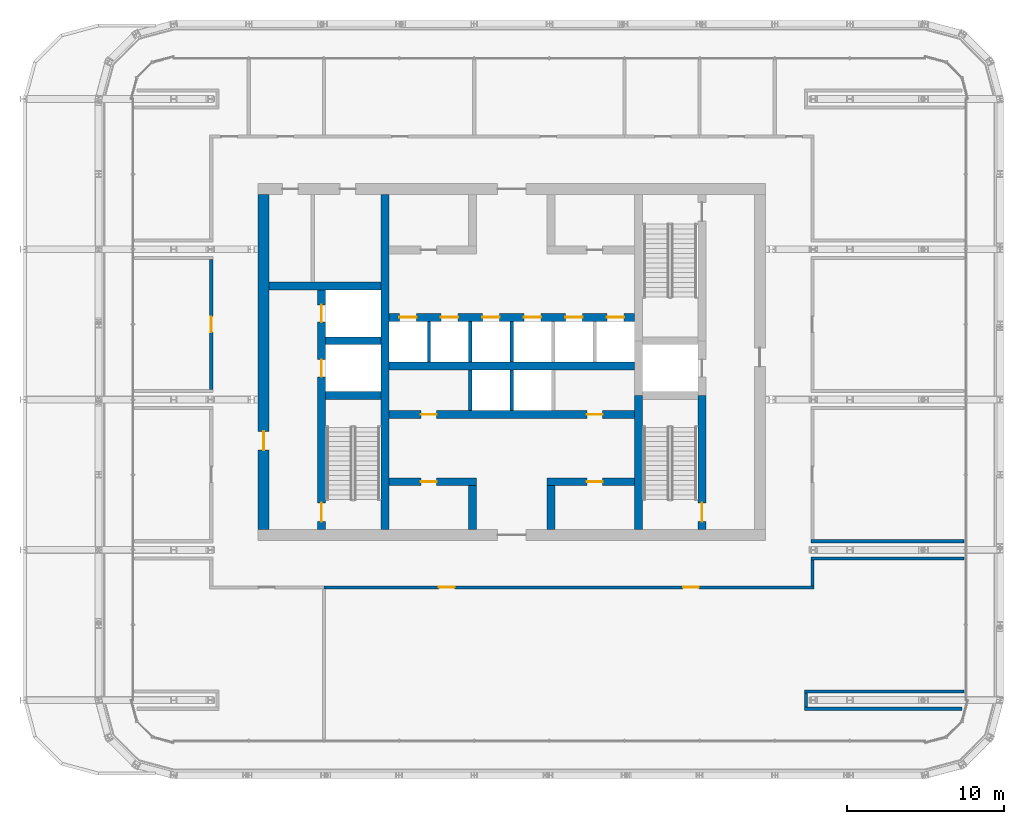
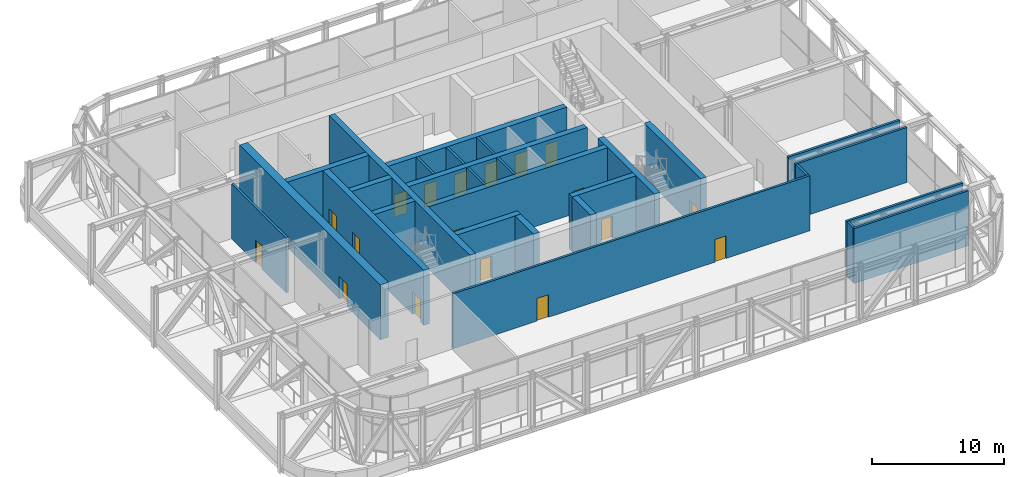
# One storey, part 20 of 30: 28 walls, 18 doors, 18 openings.
"""IFC4 building model written with IfcOpenShell, lengths in metres."""

from ifc_helpers import new_model, si_unit, direction, frame, frame_2d, origin, place, context, subcontext, project, spatial, rectangle, extrude, material, layer, layer_set, type_object, element, fill, save


model = new_model("IFC4")

# Units and contexts
model_context = context("Model", 3, precision=1e-05, world=origin(), true_north=direction((0.0, 1.0)))
body_context = subcontext(model_context, "Body", "Model", "MODEL_VIEW")
ifc_project = project(units=[si_unit("LENGTHUNIT", "METRE"), si_unit("AREAUNIT", "SQUARE_METRE"), si_unit("VOLUMEUNIT", "CUBIC_METRE"), si_unit("PLANEANGLEUNIT", "RADIAN"), si_unit("MASSUNIT", "GRAM", prefix="KILO")], contexts=[model_context])

# Site, building, storey
site_placement = place(None, origin())
site = spatial("IfcSite", under=ifc_project, at=site_placement, CompositionType="ELEMENT")
building_placement = place(site_placement, origin())
building = spatial("IfcBuilding", under=site, at=building_placement, Name="Madar Terraces", CompositionType="ELEMENT")
storey_placement = place(building_placement, frame((0.0, 0.0, 173.5)))
storey = spatial("IfcBuildingStorey", under=building, at=storey_placement, Name="L45", CompositionType="ELEMENT", Elevation=173.5)

# Wall, openings, doors
ifc_material_1 = material(Name="Concrete C60/75", Category="concrete")
ifc_layer_1 = layer(ifc_material_1, 0.5)
ifc_layer_set_1 = layer_set([ifc_layer_1], Name="Concrete C60/75 (CIW4 RC wall 500)")
wall_type_1 = type_object("IfcWallType", Name="CIW4 RC wall 500", PredefinedType="SHEAR", material=ifc_layer_set_1)
wall_1_placement = place(storey_placement, frame((19.050048828125, 15.699951171875, 0.0), z_axis=(0.0, 0.0, 1.0), x_axis=(0.0, 1.0, 0.0)))
wall_1 = element("IfcWall", 1, at=wall_1_placement, inside=storey, type_object=wall_type_1, Name="CORE SHAFT WALL", PredefinedType="SHEAR", context=body_context, shape_type="SweptSolid", body=[
    extrude(rectangle(XDim=15.300048828125, YDim=0.5, at=frame_2d((7.64990234375, 0.0))), origin(), (0.0, 0.0, 1.0), 5.10009765625),
])
opening_1_placement = place(wall_1_placement, frame((9.75, 0.0, 0.0)))
opening_1 = element("IfcOpeningElement", 2, at=opening_1_placement, cuts=wall_1, Name="Opening LD", PredefinedType="OPENING", context=body_context, shape_type="SweptSolid", body=[
    extrude(rectangle(XDim=1.10009765625, YDim=2.10009765625, at=frame_2d((0.550048828125, 1.050048828125))), frame((0.0, 0.260009765625, 0.0), z_axis=(0.0, -1.0, 0.0), x_axis=(1.0, 0.0, 0.0)), (0.0, 0.0, 1.0), 0.52001953125),
])
opening_2_placement = place(wall_1_placement, frame((13.25, 0.0, 0.0)))
opening_2 = element("IfcOpeningElement", 3, at=opening_2_placement, cuts=wall_1, Name="Opening LD", PredefinedType="OPENING", context=body_context, shape_type="SweptSolid", body=[
    extrude(rectangle(XDim=1.10009765625, YDim=2.10009765625, at=frame_2d((0.550048828125, 1.050048828125))), frame((0.0, 0.260009765625, 0.0), z_axis=(0.0, -1.0, 0.0), x_axis=(1.0, 0.0, 0.0)), (0.0, 0.0, 1.0), 0.52001953125),
])
opening_3_placement = place(wall_1_placement, frame((0.5, 0.0, 0.0)))
opening_3 = element("IfcOpeningElement", 4, at=opening_3_placement, cuts=wall_1, Name="Opening SD1", PredefinedType="OPENING", context=body_context, shape_type="SweptSolid", body=[
    extrude(rectangle(XDim=1.199951171875, YDim=2.10009765625, at=frame_2d((0.60009765625, 1.050048828125))), frame((0.0, 0.260009765625, 0.0), z_axis=(0.0, -1.0, 0.0), x_axis=(1.0, 0.0, 0.0)), (0.0, 0.0, 1.0), 0.52001953125),
])
ifc_material_2 = material(Name="Stainless steel panel", Category="steel")
door_type_1 = type_object("IfcDoorType", Name="Lift landing door 1100 x 2100", OperationType="DOUBLE_DOOR_SLIDING", PredefinedType="DOOR", material=ifc_material_2)
door_1_placement = place(opening_1_placement, origin())
door_1 = element("IfcDoor", 5, at=door_1_placement, inside=storey, type_object=door_type_1, Name="LIFT LANDING DOOR", OperationType="DOUBLE_DOOR_SLIDING", OverallHeight=2.10009765625, OverallWidth=1.10009765625, PredefinedType="DOOR", context=body_context, shape_type="SweptSolid", body=[
    extrude(rectangle(XDim=1.10009765625, YDim=2.10009765625, at=frame_2d((0.550048828125, 1.050048828125))), frame((0.0, 0.02490234375, 0.0), z_axis=(0.0, -1.0, 0.0), x_axis=(1.0, 0.0, 0.0)), (0.0, 0.0, 1.0), 0.050048828125),
])
fill(opening_1, door_1)
door_2_placement = place(opening_2_placement, origin())
door_2 = element("IfcDoor", 6, at=door_2_placement, inside=storey, type_object=door_type_1, Name="LIFT LANDING DOOR", OperationType="DOUBLE_DOOR_SLIDING", OverallHeight=2.10009765625, OverallWidth=1.10009765625, PredefinedType="DOOR", context=body_context, shape_type="SweptSolid", body=[
    extrude(rectangle(XDim=1.10009765625, YDim=2.10009765625, at=frame_2d((0.550048828125, 1.050048828125))), frame((0.0, 0.02490234375, 0.0), z_axis=(0.0, -1.0, 0.0), x_axis=(1.0, 0.0, 0.0)), (0.0, 0.0, 1.0), 0.050048828125),
])
fill(opening_2, door_2)
ifc_material_3 = material(Name="Steel door leaf", Category="steel")
door_type_2 = type_object("IfcDoorType", Name="Stair door 1200 x 2100", OperationType="NOTDEFINED", PredefinedType="DOOR", material=ifc_material_3)
door_3_placement = place(opening_3_placement, frame((1.199951171875, 0.0, 0.0), z_axis=(0.0, 0.0, 1.0), x_axis=(-1.0, 0.0, 0.0)))
door_3 = element("IfcDoor", 7, at=door_3_placement, inside=storey, type_object=door_type_2, Name="STAIR DOOR", OperationType="SINGLE_SWING_LEFT", OverallHeight=2.10009765625, OverallWidth=1.199951171875, PredefinedType="DOOR", context=body_context, shape_type="SweptSolid", body=[
    extrude(rectangle(XDim=1.199951171875, YDim=2.10009765625, at=frame_2d((0.60009765625, 1.050048828125))), frame((0.0, 0.02490234375, 0.0), z_axis=(0.0, -1.0, 0.0), x_axis=(1.0, 0.0, 0.0)), (0.0, 0.0, 1.0), 0.050048828125),
])
fill(opening_3, door_3)

# Walls
wall_2_placement = place(storey_placement, frame((23.10009765625, 15.699951171875, 0.0), z_axis=(0.0, 0.0, 1.0), x_axis=(0.0, 1.0, 0.0)))
element("IfcWall", 8, at=wall_2_placement, inside=storey, type_object=wall_type_1, Name="CORE SHAFT WALL", PredefinedType="SHEAR", context=body_context, shape_type="SweptSolid", body=[
    extrude(rectangle(XDim=21.400146484375, YDim=0.5, at=frame_2d((10.7001953125, 0.0))), origin(), (0.0, 0.0, 1.0), 5.10009765625),
])
wall_3_placement = place(storey_placement, frame((39.300048828125, 15.699951171875, 0.0), z_axis=(0.0, 0.0, 1.0), x_axis=(0.0, 1.0, 0.0)))
element("IfcWall", 9, at=wall_3_placement, inside=storey, type_object=wall_type_1, Name="CORE SHAFT WALL", PredefinedType="SHEAR", context=body_context, shape_type="SweptSolid", body=[
    extrude(rectangle(XDim=8.550048828125, YDim=0.5, at=frame_2d((4.27490234375, 0.0))), origin(), (0.0, 0.0, 1.0), 5.10009765625),
])

# Wall, opening, door
wall_4_placement = place(storey_placement, frame((43.35009765625, 15.699951171875, 0.0), z_axis=(0.0, 0.0, 1.0), x_axis=(0.0, 1.0, 0.0)))
wall_4 = element("IfcWall", 10, at=wall_4_placement, inside=storey, type_object=wall_type_1, Name="CORE SHAFT WALL", PredefinedType="SHEAR", context=body_context, shape_type="SweptSolid", body=[
    extrude(rectangle(XDim=8.550048828125, YDim=0.5, at=frame_2d((4.27490234375, 0.0))), origin(), (0.0, 0.0, 1.0), 5.10009765625),
])
opening_4_placement = place(wall_4_placement, frame((0.5, 0.0, 0.0)))
opening_4 = element("IfcOpeningElement", 11, at=opening_4_placement, cuts=wall_4, Name="Opening SD1", PredefinedType="OPENING", context=body_context, shape_type="SweptSolid", body=[
    extrude(rectangle(XDim=1.199951171875, YDim=2.10009765625, at=frame_2d((0.60009765625, 1.050048828125))), frame((0.0, 0.260009765625, 0.0), z_axis=(0.0, -1.0, 0.0), x_axis=(1.0, 0.0, 0.0)), (0.0, 0.0, 1.0), 0.52001953125),
])
door_4_placement = place(opening_4_placement, origin())
door_4 = element("IfcDoor", 12, at=door_4_placement, inside=storey, type_object=door_type_2, Name="STAIR DOOR", OperationType="SINGLE_SWING_RIGHT", OverallHeight=2.10009765625, OverallWidth=1.199951171875, PredefinedType="DOOR", context=body_context, shape_type="SweptSolid", body=[
    extrude(rectangle(XDim=1.199951171875, YDim=2.10009765625, at=frame_2d((0.60009765625, 1.050048828125))), frame((0.0, 0.02490234375, 0.0), z_axis=(0.0, -1.0, 0.0), x_axis=(1.0, 0.0, 0.0)), (0.0, 0.0, 1.0), 0.050048828125),
])
fill(opening_4, door_4)

# Walls
for number, where, z_axis, x_axis, name in (
    (13, (19.300048828125, 24.25, 0.0), (0.0, 0.0, 1.0), (1.0, 0.0, 0.0), "CORE SHAFT WALL"),
    (14, (19.300048828125, 27.75, 0.0), (0.0, 0.0, 1.0), (1.0, 0.0, 0.0), "CORE SHAFT WALL"),
):
    element("IfcWall", number, at=place(storey_placement, frame(where, z_axis=z_axis, x_axis=x_axis)), inside=storey, type_object=wall_type_1, Name=name, PredefinedType="SHEAR", context=body_context, shape_type="SweptSolid", body=[
        extrude(rectangle(XDim=3.550048828125, YDim=0.5, at=frame_2d((1.77490234375, 0.0))), origin(), (0.0, 0.0, 1.0), 5.10009765625),
    ])
wall_5_placement = place(storey_placement, frame((15.699951171875, 31.25, 0.0), z_axis=(0.0, 0.0, 1.0), x_axis=(1.0, 0.0, 0.0)))
element("IfcWall", 15, at=wall_5_placement, inside=storey, type_object=wall_type_1, Name="CORE SHAFT WALL", PredefinedType="SHEAR", context=body_context, shape_type="SweptSolid", body=[
    extrude(rectangle(XDim=7.150146484375, YDim=0.5, at=frame_2d((3.5751953125, 0.0))), origin(), (0.0, 0.0, 1.0), 5.10009765625),
])

# Wall, opening, door
wall_6_placement = place(storey_placement, frame((23.35009765625, 18.75, 0.0), z_axis=(0.0, 0.0, 1.0), x_axis=(1.0, 0.0, 0.0)))
wall_6 = element("IfcWall", 16, at=wall_6_placement, inside=storey, type_object=wall_type_1, Name="CORE SHAFT WALL", PredefinedType="SHEAR", context=body_context, shape_type="SweptSolid", body=[
    extrude(rectangle(XDim=5.599853515625, YDim=0.5, at=frame_2d((2.7998046875, 0.0))), origin(), (0.0, 0.0, 1.0), 5.10009765625),
])
opening_5_placement = place(wall_6_placement, frame((2.050048828125, 0.0, 0.0)))
opening_5 = element("IfcOpeningElement", 17, at=opening_5_placement, cuts=wall_6, Name="Opening KD2", PredefinedType="OPENING", context=body_context, shape_type="SweptSolid", body=[
    extrude(rectangle(XDim=1.0, YDim=2.10009765625, at=frame_2d((0.5, 1.050048828125))), frame((0.0, 0.260009765625, 0.0), z_axis=(0.0, -1.0, 0.0), x_axis=(1.0, 0.0, 0.0)), (0.0, 0.0, 1.0), 0.52001953125),
])
ifc_material_4 = material(Name="Steel door leaf", Category="steel")
door_type_3 = type_object("IfcDoorType", Name="Service room door 1000 x 2100", OperationType="NOTDEFINED", PredefinedType="DOOR", material=ifc_material_4)
door_5_placement = place(opening_5_placement, origin())
door_5 = element("IfcDoor", 18, at=door_5_placement, inside=storey, type_object=door_type_3, Name="SERVICE ROOM DOOR", OperationType="SINGLE_SWING_RIGHT", OverallHeight=2.10009765625, OverallWidth=1.0, PredefinedType="DOOR", context=body_context, shape_type="SweptSolid", body=[
    extrude(rectangle(XDim=1.0, YDim=2.10009765625, at=frame_2d((0.5, 1.050048828125))), frame((0.0, 0.02490234375, 0.0), z_axis=(0.0, -1.0, 0.0), x_axis=(1.0, 0.0, 0.0)), (0.0, 0.0, 1.0), 0.050048828125),
])
fill(opening_5, door_5)

wall_7_placement = place(storey_placement, frame((33.449951171875, 18.75, 0.0), z_axis=(0.0, 0.0, 1.0), x_axis=(1.0, 0.0, 0.0)))
wall_7 = element("IfcWall", 19, at=wall_7_placement, inside=storey, type_object=wall_type_1, Name="CORE SHAFT WALL", PredefinedType="SHEAR", context=body_context, shape_type="SweptSolid", body=[
    extrude(rectangle(XDim=5.60009765625, YDim=0.5, at=frame_2d((2.800048828125, 0.0))), origin(), (0.0, 0.0, 1.0), 5.10009765625),
])
opening_6_placement = place(wall_7_placement, frame((2.550048828125, 0.0, 0.0)))
opening_6 = element("IfcOpeningElement", 20, at=opening_6_placement, cuts=wall_7, Name="Opening KD2", PredefinedType="OPENING", context=body_context, shape_type="SweptSolid", body=[
    extrude(rectangle(XDim=1.0, YDim=2.10009765625, at=frame_2d((0.5, 1.050048828125))), frame((0.0, 0.260009765625, 0.0), z_axis=(0.0, -1.0, 0.0), x_axis=(1.0, 0.0, 0.0)), (0.0, 0.0, 1.0), 0.52001953125),
])
door_6_placement = place(opening_6_placement, origin())
door_6 = element("IfcDoor", 21, at=door_6_placement, inside=storey, type_object=door_type_3, Name="SERVICE ROOM DOOR", OperationType="SINGLE_SWING_LEFT", OverallHeight=2.10009765625, OverallWidth=1.0, PredefinedType="DOOR", context=body_context, shape_type="SweptSolid", body=[
    extrude(rectangle(XDim=1.0, YDim=2.10009765625, at=frame_2d((0.5, 1.050048828125))), frame((0.0, 0.02490234375, 0.0), z_axis=(0.0, -1.0, 0.0), x_axis=(1.0, 0.0, 0.0)), (0.0, 0.0, 1.0), 0.050048828125),
])
fill(opening_6, door_6)

# Wall, openings, doors
wall_8_placement = place(storey_placement, frame((23.35009765625, 23.050048828125, 0.0), z_axis=(0.0, 0.0, 1.0), x_axis=(1.0, 0.0, 0.0)))
wall_8 = element("IfcWall", 22, at=wall_8_placement, inside=storey, type_object=wall_type_1, Name="CORE SHAFT WALL", PredefinedType="SHEAR", context=body_context, shape_type="SweptSolid", body=[
    extrude(rectangle(XDim=15.699951171875, YDim=0.5, at=frame_2d((7.85009765625, 0.0))), origin(), (0.0, 0.0, 1.0), 5.10009765625),
])
opening_7_placement = place(wall_8_placement, frame((2.050048828125, 0.0, 0.0)))
opening_7 = element("IfcOpeningElement", 23, at=opening_7_placement, cuts=wall_8, Name="Opening KD2", PredefinedType="OPENING", context=body_context, shape_type="SweptSolid", body=[
    extrude(rectangle(XDim=1.0, YDim=2.10009765625, at=frame_2d((0.5, 1.050048828125))), frame((0.0, 0.260009765625, 0.0), z_axis=(0.0, -1.0, 0.0), x_axis=(1.0, 0.0, 0.0)), (0.0, 0.0, 1.0), 0.52001953125),
])
opening_8_placement = place(wall_8_placement, frame((12.64990234375, 0.0, 0.0)))
opening_8 = element("IfcOpeningElement", 24, at=opening_8_placement, cuts=wall_8, Name="Opening KD2", PredefinedType="OPENING", context=body_context, shape_type="SweptSolid", body=[
    extrude(rectangle(XDim=1.0, YDim=2.10009765625, at=frame_2d((0.5, 1.050048828125))), frame((0.0, 0.260009765625, 0.0), z_axis=(0.0, -1.0, 0.0), x_axis=(1.0, 0.0, 0.0)), (0.0, 0.0, 1.0), 0.52001953125),
])
door_7_placement = place(opening_7_placement, frame((1.0, 0.0, 0.0), z_axis=(0.0, 0.0, 1.0), x_axis=(-1.0, 0.0, 0.0)))
door_7 = element("IfcDoor", 25, at=door_7_placement, inside=storey, type_object=door_type_3, Name="SERVICE ROOM DOOR", OperationType="SINGLE_SWING_RIGHT", OverallHeight=2.10009765625, OverallWidth=1.0, PredefinedType="DOOR", context=body_context, shape_type="SweptSolid", body=[
    extrude(rectangle(XDim=1.0, YDim=2.10009765625, at=frame_2d((0.5, 1.050048828125))), frame((0.0, 0.02490234375, 0.0), z_axis=(0.0, -1.0, 0.0), x_axis=(1.0, 0.0, 0.0)), (0.0, 0.0, 1.0), 0.050048828125),
])
fill(opening_7, door_7)
door_8_placement = place(opening_8_placement, frame((1.0, 0.0, 0.0), z_axis=(0.0, 0.0, 1.0), x_axis=(-1.0, 0.0, 0.0)))
door_8 = element("IfcDoor", 26, at=door_8_placement, inside=storey, type_object=door_type_3, Name="SERVICE ROOM DOOR", OperationType="SINGLE_SWING_LEFT", OverallHeight=2.10009765625, OverallWidth=1.0, PredefinedType="DOOR", context=body_context, shape_type="SweptSolid", body=[
    extrude(rectangle(XDim=1.0, YDim=2.10009765625, at=frame_2d((0.5, 1.050048828125))), frame((0.0, 0.02490234375, 0.0), z_axis=(0.0, -1.0, 0.0), x_axis=(1.0, 0.0, 0.0)), (0.0, 0.0, 1.0), 0.050048828125),
])
fill(opening_8, door_8)

# Wall
wall_9_placement = place(storey_placement, frame((23.35009765625, 26.14990234375, 0.0), z_axis=(0.0, 0.0, 1.0), x_axis=(1.0, 0.0, 0.0)))
element("IfcWall", 27, at=wall_9_placement, inside=storey, type_object=wall_type_1, Name="CORE SHAFT WALL", PredefinedType="SHEAR", context=body_context, shape_type="SweptSolid", body=[
    extrude(rectangle(XDim=15.699951171875, YDim=0.5, at=frame_2d((7.85009765625, 0.0))), origin(), (0.0, 0.0, 1.0), 5.10009765625),
])

# Wall, openings, doors
wall_10_placement = place(storey_placement, frame((23.35009765625, 29.25, 0.0), z_axis=(0.0, 0.0, 1.0), x_axis=(1.0, 0.0, 0.0)))
wall_10 = element("IfcWall", 28, at=wall_10_placement, inside=storey, type_object=wall_type_1, Name="CORE SHAFT WALL", PredefinedType="SHEAR", context=body_context, shape_type="SweptSolid", body=[
    extrude(rectangle(XDim=15.699951171875, YDim=0.5, at=frame_2d((7.85009765625, 0.0))), origin(), (0.0, 0.0, 1.0), 5.10009765625),
])
opening_9_placement = place(wall_10_placement, frame((0.675048828125, 0.0, 0.0)))
opening_9 = element("IfcOpeningElement", 29, at=opening_9_placement, cuts=wall_10, Name="Opening LD", PredefinedType="OPENING", context=body_context, shape_type="SweptSolid", body=[
    extrude(rectangle(XDim=1.10009765625, YDim=2.10009765625, at=frame_2d((0.550048828125, 1.050048828125))), frame((0.0, 0.260009765625, 0.0), z_axis=(0.0, -1.0, 0.0), x_axis=(1.0, 0.0, 0.0)), (0.0, 0.0, 1.0), 0.52001953125),
])
opening_10_placement = place(wall_10_placement, frame((3.324951171875, 0.0, 0.0)))
opening_10 = element("IfcOpeningElement", 30, at=opening_10_placement, cuts=wall_10, Name="Opening LD", PredefinedType="OPENING", context=body_context, shape_type="SweptSolid", body=[
    extrude(rectangle(XDim=1.10009765625, YDim=2.10009765625, at=frame_2d((0.550048828125, 1.050048828125))), frame((0.0, 0.260009765625, 0.0), z_axis=(0.0, -1.0, 0.0), x_axis=(1.0, 0.0, 0.0)), (0.0, 0.0, 1.0), 0.52001953125),
])
opening_11_placement = place(wall_10_placement, frame((5.97509765625, 0.0, 0.0)))
opening_11 = element("IfcOpeningElement", 31, at=opening_11_placement, cuts=wall_10, Name="Opening LD", PredefinedType="OPENING", context=body_context, shape_type="SweptSolid", body=[
    extrude(rectangle(XDim=1.10009765625, YDim=2.10009765625, at=frame_2d((0.550048828125, 1.050048828125))), frame((0.0, 0.260009765625, 0.0), z_axis=(0.0, -1.0, 0.0), x_axis=(1.0, 0.0, 0.0)), (0.0, 0.0, 1.0), 0.52001953125),
])
opening_12_placement = place(wall_10_placement, frame((8.625, 0.0, 0.0)))
opening_12 = element("IfcOpeningElement", 32, at=opening_12_placement, cuts=wall_10, Name="Opening LD", PredefinedType="OPENING", context=body_context, shape_type="SweptSolid", body=[
    extrude(rectangle(XDim=1.10009765625, YDim=2.10009765625, at=frame_2d((0.550048828125, 1.050048828125))), frame((0.0, 0.260009765625, 0.0), z_axis=(0.0, -1.0, 0.0), x_axis=(1.0, 0.0, 0.0)), (0.0, 0.0, 1.0), 0.52001953125),
])
opening_13_placement = place(wall_10_placement, frame((11.27490234375, 0.0, 0.0)))
opening_13 = element("IfcOpeningElement", 33, at=opening_13_placement, cuts=wall_10, Name="Opening LD", PredefinedType="OPENING", context=body_context, shape_type="SweptSolid", body=[
    extrude(rectangle(XDim=1.10009765625, YDim=2.10009765625, at=frame_2d((0.550048828125, 1.050048828125))), frame((0.0, 0.260009765625, 0.0), z_axis=(0.0, -1.0, 0.0), x_axis=(1.0, 0.0, 0.0)), (0.0, 0.0, 1.0), 0.52001953125),
])
opening_14_placement = place(wall_10_placement, frame((13.925048828125, 0.0, 0.0)))
opening_14 = element("IfcOpeningElement", 34, at=opening_14_placement, cuts=wall_10, Name="Opening LD", PredefinedType="OPENING", context=body_context, shape_type="SweptSolid", body=[
    extrude(rectangle(XDim=1.10009765625, YDim=2.10009765625, at=frame_2d((0.550048828125, 1.050048828125))), frame((0.0, 0.260009765625, 0.0), z_axis=(0.0, -1.0, 0.0), x_axis=(1.0, 0.0, 0.0)), (0.0, 0.0, 1.0), 0.52001953125),
])
door_9_placement = place(opening_9_placement, origin())
door_9 = element("IfcDoor", 35, at=door_9_placement, inside=storey, type_object=door_type_1, Name="LIFT LANDING DOOR", OperationType="DOUBLE_DOOR_SLIDING", OverallHeight=2.10009765625, OverallWidth=1.10009765625, PredefinedType="DOOR", context=body_context, shape_type="SweptSolid", body=[
    extrude(rectangle(XDim=1.10009765625, YDim=2.10009765625, at=frame_2d((0.550048828125, 1.050048828125))), frame((0.0, 0.02490234375, 0.0), z_axis=(0.0, -1.0, 0.0), x_axis=(1.0, 0.0, 0.0)), (0.0, 0.0, 1.0), 0.050048828125),
])
fill(opening_9, door_9)
door_10_placement = place(opening_10_placement, origin())
door_10 = element("IfcDoor", 36, at=door_10_placement, inside=storey, type_object=door_type_1, Name="LIFT LANDING DOOR", OperationType="DOUBLE_DOOR_SLIDING", OverallHeight=2.10009765625, OverallWidth=1.10009765625, PredefinedType="DOOR", context=body_context, shape_type="SweptSolid", body=[
    extrude(rectangle(XDim=1.10009765625, YDim=2.10009765625, at=frame_2d((0.550048828125, 1.050048828125))), frame((0.0, 0.02490234375, 0.0), z_axis=(0.0, -1.0, 0.0), x_axis=(1.0, 0.0, 0.0)), (0.0, 0.0, 1.0), 0.050048828125),
])
fill(opening_10, door_10)
door_11_placement = place(opening_11_placement, origin())
door_11 = element("IfcDoor", 37, at=door_11_placement, inside=storey, type_object=door_type_1, Name="LIFT LANDING DOOR", OperationType="DOUBLE_DOOR_SLIDING", OverallHeight=2.10009765625, OverallWidth=1.10009765625, PredefinedType="DOOR", context=body_context, shape_type="SweptSolid", body=[
    extrude(rectangle(XDim=1.10009765625, YDim=2.10009765625, at=frame_2d((0.550048828125, 1.050048828125))), frame((0.0, 0.02490234375, 0.0), z_axis=(0.0, -1.0, 0.0), x_axis=(1.0, 0.0, 0.0)), (0.0, 0.0, 1.0), 0.050048828125),
])
fill(opening_11, door_11)
door_12_placement = place(opening_12_placement, origin())
door_12 = element("IfcDoor", 38, at=door_12_placement, inside=storey, type_object=door_type_1, Name="LIFT LANDING DOOR", OperationType="DOUBLE_DOOR_SLIDING", OverallHeight=2.10009765625, OverallWidth=1.10009765625, PredefinedType="DOOR", context=body_context, shape_type="SweptSolid", body=[
    extrude(rectangle(XDim=1.10009765625, YDim=2.10009765625, at=frame_2d((0.550048828125, 1.050048828125))), frame((0.0, 0.02490234375, 0.0), z_axis=(0.0, -1.0, 0.0), x_axis=(1.0, 0.0, 0.0)), (0.0, 0.0, 1.0), 0.050048828125),
])
fill(opening_12, door_12)
door_13_placement = place(opening_13_placement, origin())
door_13 = element("IfcDoor", 39, at=door_13_placement, inside=storey, type_object=door_type_1, Name="LIFT LANDING DOOR", OperationType="DOUBLE_DOOR_SLIDING", OverallHeight=2.10009765625, OverallWidth=1.10009765625, PredefinedType="DOOR", context=body_context, shape_type="SweptSolid", body=[
    extrude(rectangle(XDim=1.10009765625, YDim=2.10009765625, at=frame_2d((0.550048828125, 1.050048828125))), frame((0.0, 0.02490234375, 0.0), z_axis=(0.0, -1.0, 0.0), x_axis=(1.0, 0.0, 0.0)), (0.0, 0.0, 1.0), 0.050048828125),
])
fill(opening_13, door_13)
door_14_placement = place(opening_14_placement, origin())
door_14 = element("IfcDoor", 40, at=door_14_placement, inside=storey, type_object=door_type_1, Name="LIFT LANDING DOOR", OperationType="DOUBLE_DOOR_SLIDING", OverallHeight=2.10009765625, OverallWidth=1.10009765625, PredefinedType="DOOR", context=body_context, shape_type="SweptSolid", body=[
    extrude(rectangle(XDim=1.10009765625, YDim=2.10009765625, at=frame_2d((0.550048828125, 1.050048828125))), frame((0.0, 0.02490234375, 0.0), z_axis=(0.0, -1.0, 0.0), x_axis=(1.0, 0.0, 0.0)), (0.0, 0.0, 1.0), 0.050048828125),
])
fill(opening_14, door_14)

# Walls
for number, where, z_axis, x_axis, name in (
    (41, (28.699951171875, 15.699951171875, 0.0), (0.0, 0.0, 1.0), (0.0, 1.0, 0.0), "CORE SHAFT WALL"),
    (42, (33.699951171875, 15.699951171875, 0.0), (0.0, 0.0, 1.0), (0.0, 1.0, 0.0), "CORE SHAFT WALL"),
):
    element("IfcWall", number, at=place(storey_placement, frame(where, z_axis=z_axis, x_axis=x_axis)), inside=storey, type_object=wall_type_1, Name=name, PredefinedType="SHEAR", context=body_context, shape_type="SweptSolid", body=[
        extrude(rectangle(XDim=2.800048828125, YDim=0.5, at=frame_2d((1.39990234375, 0.0))), origin(), (0.0, 0.0, 1.0), 5.10009765625),
    ])

# Wall, opening, door
ifc_material_5 = material(Name="Concrete C60/75", Category="concrete")
ifc_layer_2 = layer(ifc_material_5, 0.699951171875)
ifc_layer_set_2 = layer_set([ifc_layer_2], Name="Concrete C60/75 (CRW4 RC wall 700)")
wall_type_2 = type_object("IfcWallType", Name="CRW4 RC wall 700", PredefinedType="SHEAR", material=ifc_layer_set_2)
wall_11_placement = place(storey_placement, frame((15.35009765625, 15.699951171875, 0.0), z_axis=(0.0, 0.0, 1.0), x_axis=(0.0, 1.0, 0.0)))
wall_11 = element("IfcWall", 43, at=wall_11_placement, inside=storey, type_object=wall_type_2, Name="CORE OUTER WALL", PredefinedType="SHEAR", context=body_context, shape_type="SweptSolid", body=[
    extrude(rectangle(XDim=21.400146484375, YDim=0.699951171875, at=frame_2d((10.7001953125, 0.0))), origin(), (0.0, 0.0, 1.0), 5.10009765625),
])
opening_15_placement = place(wall_11_placement, frame((5.06005859375, 0.0, 0.0)))
opening_15 = element("IfcOpeningElement", 44, at=opening_15_placement, cuts=wall_11, Name="Opening SD1", PredefinedType="OPENING", context=body_context, shape_type="SweptSolid", body=[
    extrude(rectangle(XDim=1.199951171875, YDim=2.10009765625, at=frame_2d((0.60009765625, 1.050048828125))), frame((0.0, 0.35986328125, 0.0), z_axis=(0.0, -1.0, 0.0), x_axis=(1.0, 0.0, 0.0)), (0.0, 0.0, 1.0), 0.719970703125),
])
door_15_placement = place(opening_15_placement, frame((1.199951171875, 0.0, 0.0), z_axis=(0.0, 0.0, 1.0), x_axis=(-1.0, 0.0, 0.0)))
door_15 = element("IfcDoor", 45, at=door_15_placement, inside=storey, type_object=door_type_2, Name="STAIR DOOR", OperationType="SINGLE_SWING_RIGHT", OverallHeight=2.10009765625, OverallWidth=1.199951171875, PredefinedType="DOOR", context=body_context, shape_type="SweptSolid", body=[
    extrude(rectangle(XDim=1.199951171875, YDim=2.10009765625, at=frame_2d((0.60009765625, 1.050048828125))), frame((0.0, 0.02490234375, 0.0), z_axis=(0.0, -1.0, 0.0), x_axis=(1.0, 0.0, 0.0)), (0.0, 0.0, 1.0), 0.050048828125),
])
fill(opening_15, door_15)

# Walls
ifc_material_6 = material(Name="Concrete C40/50", Category="concrete")
ifc_layer_3 = layer(ifc_material_6, 0.199951171875)
ifc_layer_set_3 = layer_set([ifc_layer_3], Name="Core shaft dividing wall 200 C40/50")
wall_type_3 = type_object("IfcWallType", Name="Core shaft dividing wall 200 C40/50", PredefinedType="SOLIDWALL", material=ifc_layer_set_3)
wall_12_placement = place(storey_placement, frame((25.89990234375, 26.39990234375, 0.0), z_axis=(0.0, 0.0, 1.0), x_axis=(0.0, 1.0, 0.0)))
element("IfcWall", 46, at=wall_12_placement, inside=storey, type_object=wall_type_3, Name="SHAFT DIVIDING WALL", PredefinedType="SOLIDWALL", context=body_context, shape_type="SweptSolid", body=[
    extrude(rectangle(XDim=2.60009765625, YDim=0.199951171875, at=frame_2d((1.300048828125, 0.0))), origin(), (0.0, 0.0, 1.0), 5.10009765625),
])
wall_13_placement = place(storey_placement, frame((28.550048828125, 23.300048828125, 0.0), z_axis=(0.0, 0.0, 1.0), x_axis=(0.0, 1.0, 0.0)))
element("IfcWall", 47, at=wall_13_placement, inside=storey, type_object=wall_type_3, Name="SHAFT DIVIDING WALL", PredefinedType="SOLIDWALL", context=body_context, shape_type="SweptSolid", body=[
    extrude(rectangle(XDim=2.599853515625, YDim=0.199951171875, at=frame_2d((1.2998046875, 0.0))), origin(), (0.0, 0.0, 1.0), 5.10009765625),
])
wall_14_placement = place(storey_placement, frame((28.550048828125, 26.39990234375, 0.0), z_axis=(0.0, 0.0, 1.0), x_axis=(0.0, 1.0, 0.0)))
element("IfcWall", 48, at=wall_14_placement, inside=storey, type_object=wall_type_3, Name="SHAFT DIVIDING WALL", PredefinedType="SOLIDWALL", context=body_context, shape_type="SweptSolid", body=[
    extrude(rectangle(XDim=2.60009765625, YDim=0.199951171875, at=frame_2d((1.300048828125, 0.0))), origin(), (0.0, 0.0, 1.0), 5.10009765625),
])
wall_15_placement = place(storey_placement, frame((31.199951171875, 23.300048828125, 0.0), z_axis=(0.0, 0.0, 1.0), x_axis=(0.0, 1.0, 0.0)))
element("IfcWall", 49, at=wall_15_placement, inside=storey, type_object=wall_type_3, Name="SHAFT DIVIDING WALL", PredefinedType="SOLIDWALL", context=body_context, shape_type="SweptSolid", body=[
    extrude(rectangle(XDim=2.599853515625, YDim=0.199951171875, at=frame_2d((1.2998046875, 0.0))), origin(), (0.0, 0.0, 1.0), 5.10009765625),
])
wall_16_placement = place(storey_placement, frame((31.199951171875, 26.39990234375, 0.0), z_axis=(0.0, 0.0, 1.0), x_axis=(0.0, 1.0, 0.0)))
element("IfcWall", 50, at=wall_16_placement, inside=storey, type_object=wall_type_3, Name="SHAFT DIVIDING WALL", PredefinedType="SOLIDWALL", context=body_context, shape_type="SweptSolid", body=[
    extrude(rectangle(XDim=2.60009765625, YDim=0.199951171875, at=frame_2d((1.300048828125, 0.0))), origin(), (0.0, 0.0, 1.0), 5.10009765625),
])
ifc_material_7 = material(Name="Blockwork", Category="masonry")
ifc_layer_4 = layer(ifc_material_7, 0.199951171875)
ifc_layer_set_4 = layer_set([ifc_layer_4], Name="Partition 200 EI 120")
wall_type_4 = type_object("IfcWallType", Name="Partition 200 EI 120", PredefinedType="PARTITIONING", material=ifc_layer_set_4)
wall_17_placement = place(storey_placement, frame((50.300048828125, 14.949951171875, 0.0), z_axis=(0.0, 0.0, 1.0), x_axis=(1.0, 0.0, 0.0)))
element("IfcWall", 51, at=wall_17_placement, inside=storey, type_object=wall_type_4, Name="Wall FIRE WATER TANK ROOM / TRUSS SLOT", PredefinedType="PARTITIONING", context=body_context, shape_type="SweptSolid", body=[
    extrude(rectangle(XDim=9.800048828125, YDim=0.199951171875, at=frame_2d((4.89990234375, 0.0))), origin(), (0.0, 0.0, 1.0), 5.10009765625),
])

# Wall, opening, door
wall_18_placement = place(storey_placement, frame((12.0, 24.64990234375, 0.0), z_axis=(0.0, 0.0, 1.0), x_axis=(0.0, 1.0, 0.0)))
wall_18 = element("IfcWall", 52, at=wall_18_placement, inside=storey, type_object=wall_type_4, Name="Wall CHILLER PLANT ROOM / RING CORRIDOR", PredefinedType="PARTITIONING", context=body_context, shape_type="SweptSolid", body=[
    extrude(rectangle(XDim=8.300048828125, YDim=0.199951171875, at=frame_2d((4.14990234375, 0.0))), origin(), (0.0, 0.0, 1.0), 5.10009765625),
])
opening_16_placement = place(wall_18_placement, frame((3.64990234375, 0.0, 0.0)))
opening_16 = element("IfcOpeningElement", 53, at=opening_16_placement, cuts=wall_18, Name="Opening D33", PredefinedType="OPENING", context=body_context, shape_type="SweptSolid", body=[
    extrude(rectangle(XDim=1.0, YDim=2.10009765625, at=frame_2d((0.5, 1.050048828125))), frame((0.0, 0.10986328125, 0.0), z_axis=(0.0, -1.0, 0.0), x_axis=(1.0, 0.0, 0.0)), (0.0, 0.0, 1.0), 0.219970703125),
])
ifc_material_8 = material(Name="Timber door leaf, fire-rated", Category="wood")
door_type_4 = type_object("IfcDoorType", Name="Podium door 1000 x 2100 FD90S", OperationType="NOTDEFINED", PredefinedType="DOOR", material=ifc_material_8)
door_16_placement = place(opening_16_placement, origin())
door_16 = element("IfcDoor", 54, at=door_16_placement, inside=storey, type_object=door_type_4, Name="Door CHILLER PLANT ROOM / RING CORRIDOR", OperationType="SINGLE_SWING_RIGHT", OverallHeight=2.10009765625, OverallWidth=1.0, PredefinedType="DOOR", context=body_context, shape_type="SweptSolid", body=[
    extrude(rectangle(XDim=1.0, YDim=2.10009765625, at=frame_2d((0.5, 1.050048828125))), frame((0.0, 0.02490234375, 0.0), z_axis=(0.0, -1.0, 0.0), x_axis=(1.0, 0.0, 0.0)), (0.0, 0.0, 1.0), 0.050048828125),
])
fill(opening_16, door_16)

# Wall, openings, doors
ifc_material_9 = material(Name="Gypsum board partition, fire-rated")
ifc_layer_5 = layer(ifc_material_9, 0.199951171875)
ifc_layer_set_5 = layer_set([ifc_layer_5], Name="Partition 200 EI 60")
wall_type_5 = type_object("IfcWallType", Name="Partition 200 EI 60", PredefinedType="PARTITIONING", material=ifc_layer_set_5)
wall_19_placement = place(storey_placement, frame((19.199951171875, 12.0, 0.0), z_axis=(0.0, 0.0, 1.0), x_axis=(1.0, 0.0, 0.0)))
wall_19 = element("IfcWall", 55, at=wall_19_placement, inside=storey, type_object=wall_type_5, Name="Wall REFUGE AREA R3 / RING CORRIDOR", PredefinedType="PARTITIONING", context=body_context, shape_type="SweptSolid", body=[
    extrude(rectangle(XDim=31.300048828125, YDim=0.199951171875, at=frame_2d((15.64990234375, 0.0))), origin(), (0.0, 0.0, 1.0), 5.10009765625),
])
opening_17_placement = place(wall_19_placement, frame((22.949951171875, 0.0, 0.0)))
opening_17 = element("IfcOpeningElement", 56, at=opening_17_placement, cuts=wall_19, Name="Opening D31", PredefinedType="OPENING", context=body_context, shape_type="SweptSolid", body=[
    extrude(rectangle(XDim=1.0, YDim=2.10009765625, at=frame_2d((0.5, 1.050048828125))), frame((0.0, 0.10986328125, 0.0), z_axis=(0.0, -1.0, 0.0), x_axis=(1.0, 0.0, 0.0)), (0.0, 0.0, 1.0), 0.219970703125),
])
opening_18_placement = place(wall_19_placement, frame((7.35009765625, 0.0, 0.0)))
opening_18 = element("IfcOpeningElement", 57, at=opening_18_placement, cuts=wall_19, Name="Opening D31", PredefinedType="OPENING", context=body_context, shape_type="SweptSolid", body=[
    extrude(rectangle(XDim=1.0, YDim=2.10009765625, at=frame_2d((0.5, 1.050048828125))), frame((0.0, 0.10986328125, 0.0), z_axis=(0.0, -1.0, 0.0), x_axis=(1.0, 0.0, 0.0)), (0.0, 0.0, 1.0), 0.219970703125),
])
ifc_material_10 = material(Name="Timber door leaf, fire-rated", Category="wood")
door_type_5 = type_object("IfcDoorType", Name="Podium door 1000 x 2100 FD30S", OperationType="NOTDEFINED", PredefinedType="DOOR", material=ifc_material_10)
door_17_placement = place(opening_17_placement, origin())
door_17 = element("IfcDoor", 58, at=door_17_placement, inside=storey, type_object=door_type_5, Name="Door REFUGE AREA R3 / RING CORRIDOR", OperationType="SINGLE_SWING_RIGHT", OverallHeight=2.10009765625, OverallWidth=1.0, PredefinedType="DOOR", context=body_context, shape_type="SweptSolid", body=[
    extrude(rectangle(XDim=1.0, YDim=2.10009765625, at=frame_2d((0.5, 1.050048828125))), frame((0.0, 0.02490234375, 0.0), z_axis=(0.0, -1.0, 0.0), x_axis=(1.0, 0.0, 0.0)), (0.0, 0.0, 1.0), 0.050048828125),
])
fill(opening_17, door_17)
door_18_placement = place(opening_18_placement, origin())
door_18 = element("IfcDoor", 59, at=door_18_placement, inside=storey, type_object=door_type_5, Name="Door REFUGE AREA R3 / RING CORRIDOR", OperationType="SINGLE_SWING_LEFT", OverallHeight=2.10009765625, OverallWidth=1.0, PredefinedType="DOOR", context=body_context, shape_type="SweptSolid", body=[
    extrude(rectangle(XDim=1.0, YDim=2.10009765625, at=frame_2d((0.5, 1.050048828125))), frame((0.0, 0.02490234375, 0.0), z_axis=(0.0, -1.0, 0.0), x_axis=(1.0, 0.0, 0.0)), (0.0, 0.0, 1.0), 0.050048828125),
])
fill(opening_18, door_18)

# Walls
wall_20_placement = place(storey_placement, frame((50.39990234375, 12.10009765625, 0.0), z_axis=(0.0, 0.0, 1.0), x_axis=(0.0, 1.0, 0.0)))
element("IfcWall", 60, at=wall_20_placement, inside=storey, type_object=wall_type_5, Name="Wall REFUGE AREA R3 / RING CORRIDOR", PredefinedType="PARTITIONING", context=body_context, shape_type="SweptSolid", body=[
    extrude(rectangle(XDim=1.64990234375, YDim=0.199951171875, at=frame_2d((0.824951171875, 0.0))), origin(), (0.0, 0.0, 1.0), 5.10009765625),
])
ifc_material_11 = material(Name="Gypsum board partition on metal studs")
ifc_layer_6 = layer(ifc_material_11, 0.199951171875)
ifc_layer_set_6 = layer_set([ifc_layer_6], Name="Partition 200 plain")
wall_type_6 = type_object("IfcWallType", Name="Partition 200 plain", PredefinedType="PARTITIONING", material=ifc_layer_set_6)
wall_21_placement = place(storey_placement, frame((49.89990234375, 4.25, 0.0), z_axis=(0.0, 0.0, 1.0), x_axis=(1.0, 0.0, 0.0)))
element("IfcWall", 61, at=wall_21_placement, inside=storey, type_object=wall_type_6, Name="Wall REFUGE AREA R3 / TRUSS SLOT", PredefinedType="PARTITIONING", context=body_context, shape_type="SweptSolid", body=[
    extrude(rectangle(XDim=10.050048828125, YDim=0.199951171875, at=frame_2d((5.02490234375, 0.0))), origin(), (0.0, 0.0, 1.0), 5.10009765625),
])
wall_22_placement = place(storey_placement, frame((49.89990234375, 5.35009765625, 0.0), z_axis=(0.0, 0.0, 1.0), x_axis=(1.0, 0.0, 0.0)))
element("IfcWall", 62, at=wall_22_placement, inside=storey, type_object=wall_type_6, Name="Wall REFUGE AREA R3 / TRUSS SLOT", PredefinedType="PARTITIONING", context=body_context, shape_type="SweptSolid", body=[
    extrude(rectangle(XDim=10.2001953125, YDim=0.199951171875, at=frame_2d((5.10009765625, 0.0))), origin(), (0.0, 0.0, 1.0), 5.10009765625),
])
wall_23_placement = place(storey_placement, frame((50.300048828125, 13.85009765625, 0.0), z_axis=(0.0, 0.0, 1.0), x_axis=(1.0, 0.0, 0.0)))
element("IfcWall", 63, at=wall_23_placement, inside=storey, type_object=wall_type_6, Name="Wall REFUGE AREA R3 / TRUSS SLOT", PredefinedType="PARTITIONING", context=body_context, shape_type="SweptSolid", body=[
    extrude(rectangle(XDim=9.800048828125, YDim=0.199951171875, at=frame_2d((4.89990234375, 0.0))), origin(), (0.0, 0.0, 1.0), 5.10009765625),
])
wall_24_placement = place(storey_placement, frame((50.0, 4.35009765625, 0.0), z_axis=(0.0, 0.0, 1.0), x_axis=(0.0, 1.0, 0.0)))
element("IfcWall", 64, at=wall_24_placement, inside=storey, type_object=wall_type_6, Name="Wall REFUGE AREA R3 / TRUSS SLOT", PredefinedType="PARTITIONING", context=body_context, shape_type="SweptSolid", body=[
    extrude(rectangle(XDim=0.89990234375, YDim=0.199951171875, at=frame_2d((0.449951171875, 0.0))), origin(), (0.0, 0.0, 1.0), 5.10009765625),
])

save(model, "model.ifc")
